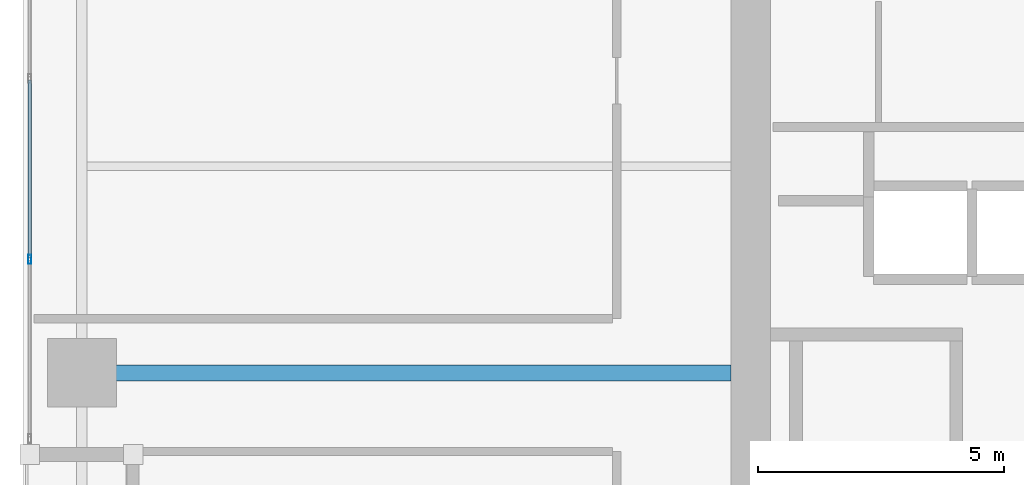
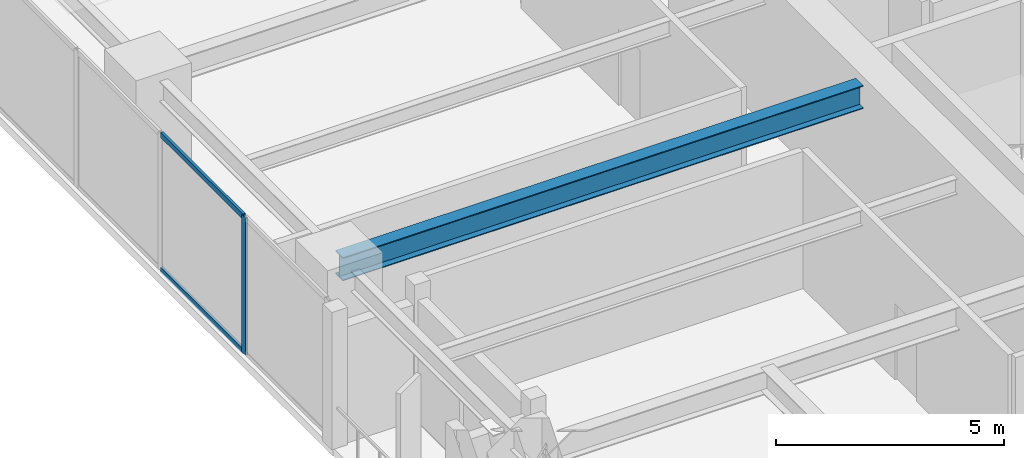
# One storey, part 4 of 30: 3 members, 1 beam, 1 element without a shape of its own.
"""IFC4 building model written with IfcOpenShell, lengths in metres."""

import ifcopenshell
import ifcopenshell.guid

model = None  # the IFC model being written
_history = None  # IfcOwnerHistory: only IFC2X3 demands one
_inside = {}  # id of a spatial element -> (the spatial element, [elements in it])
_under = {}  # id of a project, library or spatial element -> (it, [spatial elements below it])
_declared = {}  # id of a project -> (the project, [libraries it declares])
_typed = {}  # id of a type object -> (the type object, [elements of that type])
_made_of = {}  # id of a material, layer set ... -> (it, [elements and type objects made of it])


def new_model(schema):
    """Start an empty IFC model of exactly this schema.

    Asked for "IFC4X3", IfcOpenShell would pick the latest addendum, in which some entities
    have other attributes; the version numbers below select the first issue.
    IFC2X3 requires an IfcOwnerHistory on every rooted entity: one is made here for all.
    """
    global model, _history
    if schema == "IFC4X3":
        model = ifcopenshell.file(schema_version=(4, 3, 0, 0))
    else:
        model = ifcopenshell.file(schema=schema)
    _inside.clear()
    _under.clear()
    _declared.clear()
    _typed.clear()
    _made_of.clear()
    _history = None
    if model.schema == "IFC2X3":
        org = make("IfcOrganization", Name="unknown")
        user = make(
            "IfcPersonAndOrganization",
            ThePerson=make("IfcPerson", FamilyName="unknown"),
            TheOrganization=org,
        )
        app = make(
            "IfcApplication",
            ApplicationDeveloper=org,
            Version="unknown",
            ApplicationFullName="unknown",
            ApplicationIdentifier="unknown",
        )
        _history = make(
            "IfcOwnerHistory",
            OwningUser=user,
            OwningApplication=app,
            ChangeAction="ADDED",
            CreationDate=0,
        )
    return model


def make(cls, **values):
    """One entity of the class cls with the attributes given. An attribute that is None is left unset."""
    return model.create_entity(
        cls, **{name: value for name, value in values.items() if value is not None}
    )


def rooted(cls, **values):
    """An entity with a GlobalId (a new one), such as an element, a storey or a relation."""
    return make(cls, GlobalId=ifcopenshell.guid.new(), OwnerHistory=_history, **values)


def si_unit(unit_type, name, prefix=None):
    """IfcSIUnit, for example si_unit("LENGTHUNIT", "METRE", prefix="MILLI")."""
    return make("IfcSIUnit", UnitType=unit_type, Prefix=prefix, Name=name)


def assignment(units):
    """IfcUnitAssignment: the units of a project."""
    return None if units is None else make("IfcUnitAssignment", Units=units)


def point(xyz):
    """IfcCartesianPoint."""
    return None if xyz is None else make("IfcCartesianPoint", Coordinates=xyz)


def direction(xyz):
    """IfcDirection."""
    return None if xyz is None else make("IfcDirection", DirectionRatios=xyz)


def frame(location, z_axis=None, x_axis=None):
    """IfcAxis2Placement3D, a coordinate frame: its origin and axes. An axis left out is left unset."""
    return make(
        "IfcAxis2Placement3D",
        Location=point(location),
        Axis=direction(z_axis),
        RefDirection=direction(x_axis),
    )


def frame_2d(location, x_axis=None):
    """IfcAxis2Placement2D, a coordinate frame in the plane: its origin and x axis."""
    return make(
        "IfcAxis2Placement2D", Location=point(location), RefDirection=direction(x_axis)
    )


def origin():
    """The frame at (0, 0, 0) with its axes left unset."""
    return frame((0.0, 0.0, 0.0))


def origin_2d():
    """The frame at (0, 0) in the plane with its x axis left unset."""
    return frame_2d((0.0, 0.0))


def place(relative_to, where):
    """IfcLocalPlacement: puts the frame where relative to a parent placement (None: the world)."""
    return make(
        "IfcLocalPlacement", PlacementRelTo=relative_to, RelativePlacement=where
    )


def context(
    kind, dimensions, precision=None, world=None, true_north=None, identifier=None
):
    """IfcGeometricRepresentationContext, for example the 3D "Model" context."""
    return make(
        "IfcGeometricRepresentationContext",
        ContextIdentifier=identifier,
        ContextType=kind,
        CoordinateSpaceDimension=dimensions,
        Precision=precision,
        WorldCoordinateSystem=world,
        TrueNorth=true_north,
    )


def subcontext(parent, identifier, kind, view, scale=None):
    """IfcGeometricRepresentationSubContext, for example "Body" below "Model"."""
    return make(
        "IfcGeometricRepresentationSubContext",
        ContextIdentifier=identifier,
        ContextType=kind,
        ParentContext=parent,
        TargetScale=scale,
        TargetView=view,
    )


def project(units=None, contexts=None):
    """IfcProject with its units and contexts."""
    return rooted(
        "IfcProject",
        Name="project",
        RepresentationContexts=contexts,
        UnitsInContext=assignment(units),
    )


def spatial(cls, under=None, at=None, **own):
    """A site, building, storey or space (cls), placed at a placement, below another one or the project."""
    s = rooted(cls, ObjectPlacement=at, **own)
    if under is not None:
        _under.setdefault(under.id(), (under, []))[1].append(s)
    return s


def profile(cls, at=None, kind="AREA", **sizes):
    """A parametric profile (cls). Its sizes go by their IFC names, for example OverallWidth=200.0."""
    return make(cls, ProfileType=kind, Position=at, **sizes)


def hollow_rectangle(**sizes):
    """IfcRectangleHollowProfileDef."""
    return profile("IfcRectangleHollowProfileDef", **sizes)


def i_section(**sizes):
    """IfcIShapeProfileDef."""
    return profile("IfcIShapeProfileDef", **sizes)


def extrude(swept, where, along, depth):
    """IfcExtrudedAreaSolid: the profile swept, set in the frame where, extruded along a direction by depth."""
    return make(
        "IfcExtrudedAreaSolid",
        SweptArea=swept,
        Position=where,
        ExtrudedDirection=direction(along),
        Depth=depth,
    )


def shape(context_of_items, identifier, shape_type, items):
    """IfcShapeRepresentation: the items that make up one representation, for example the "Body"."""
    return make(
        "IfcShapeRepresentation",
        ContextOfItems=context_of_items,
        RepresentationIdentifier=identifier,
        RepresentationType=shape_type,
        Items=items,
    )


def material(Name=None, Category=None):
    """IfcMaterial."""
    return make("IfcMaterial", Name=Name, Category=Category)


def layer(
    of_material, thickness, ventilated=None, Name=None, Category=None, Priority=None
):
    """IfcMaterialLayer: one layer of a wall or slab, of a material (None: an air gap)."""
    return make(
        "IfcMaterialLayer",
        Material=of_material,
        LayerThickness=thickness,
        IsVentilated=ventilated,
        Name=Name,
        Category=Category,
        Priority=Priority,
    )


def layer_set(layers, Name=None):
    """IfcMaterialLayerSet."""
    return make("IfcMaterialLayerSet", MaterialLayers=layers, LayerSetName=Name)


def material_profile(
    of_material, cross_section, Name=None, Category=None, Priority=None
):
    """IfcMaterialProfile: a cross section and its material."""
    return make(
        "IfcMaterialProfile",
        Name=Name,
        Material=of_material,
        Profile=cross_section,
        Priority=Priority,
        Category=Category,
    )


def profile_set(profiles, Name=None, composite=None):
    """IfcMaterialProfileSet."""
    return make(
        "IfcMaterialProfileSet",
        Name=Name,
        MaterialProfiles=profiles,
        CompositeProfile=composite,
    )


def made_of(thing, what):
    """Note that an element or type object is made of a material, layer set ...; save() writes the relation."""
    if what is not None:
        _made_of.setdefault(what.id(), (what, []))[1].append(thing)
    return thing


def type_object(cls, material=None, **own):
    """A type object (cls), such as IfcWallType, which elements share."""
    return made_of(rooted(cls, **own), material)


def element(
    cls,
    number,
    at=None,
    inside=None,
    cuts=None,
    type_object=None,
    material=None,
    context=None,
    identifier="Body",
    shape_type=None,
    held_by="IfcProductDefinitionShape",
    body=None,
    shapes=None,
    **own,
):
    """One element of the class cls, such as IfcWall. Its Tag is "e" and its number.

    at: its placement. inside: the storey or other place that contains it. cuts: it is an
    opening in that element (IfcRelVoidsElement). A single representation is given by context,
    identifier, shape_type and body (its items); several are given by shapes. held_by: the class
    of the entity that holds the representations. save() writes the other relations.
    """
    e = rooted(cls, Tag="e%d" % number, ObjectPlacement=at, **own)
    if body is not None:
        shapes = [shape(context, identifier, shape_type, body)]
    if shapes is not None:
        e.Representation = make(held_by, Representations=shapes)
    if inside is not None:
        _inside.setdefault(inside.id(), (inside, []))[1].append(e)
    if cuts is not None:
        rooted(
            "IfcRelVoidsElement", RelatingBuildingElement=cuts, RelatedOpeningElement=e
        )
    if type_object is not None:
        _typed.setdefault(type_object.id(), (type_object, []))[1].append(e)
    return made_of(e, material)


def aggregate(whole, parts):
    """IfcRelAggregates: a whole, such as a stair, and the parts it consists of."""
    return rooted("IfcRelAggregates", RelatingObject=whole, RelatedObjects=parts)


def save(model, path):
    """Write the relations noted so far, then the file.

    IfcRelAggregates (storeys below a building ...), IfcRelContainedInSpatialStructure (elements
    in a storey), IfcRelDefinesByType, IfcRelAssociatesMaterial and IfcRelDeclares: one each for
    every whole, place, type object, material and project.
    """
    for whole, parts in _under.values():
        aggregate(whole, parts)
    for where, things in _inside.values():
        rooted(
            "IfcRelContainedInSpatialStructure",
            RelatedElements=things,
            RelatingStructure=where,
        )
    for kind, things in _typed.values():
        rooted("IfcRelDefinesByType", RelatedObjects=things, RelatingType=kind)
    for what, things in _made_of.values():
        rooted("IfcRelAssociatesMaterial", RelatedObjects=things, RelatingMaterial=what)
    for by, libraries in _declared.values():
        rooted("IfcRelDeclares", RelatingContext=by, RelatedDefinitions=libraries)
    model.write(path)


model = new_model("IFC4")

# Units and contexts
model_context = context("Model", 3, precision=1e-05, world=origin(), true_north=direction((0.0, 1.0)))
body_context = subcontext(model_context, "Body", "Model", "MODEL_VIEW")
ifc_project = project(units=[si_unit("LENGTHUNIT", "METRE"), si_unit("AREAUNIT", "SQUARE_METRE"), si_unit("VOLUMEUNIT", "CUBIC_METRE"), si_unit("PLANEANGLEUNIT", "RADIAN"), si_unit("MASSUNIT", "GRAM", prefix="KILO")], contexts=[model_context])

# Site, building, storey
site_placement = place(None, origin())
site = spatial("IfcSite", under=ifc_project, at=site_placement, CompositionType="ELEMENT")
building_placement = place(site_placement, origin())
building = spatial("IfcBuilding", under=site, at=building_placement, Name="Kiyonajd Concourse Tower", CompositionType="ELEMENT")
storey_placement = place(building_placement, frame((0.0, 0.0, 150.60009765625)))
storey = spatial("IfcBuildingStorey", under=building, at=storey_placement, Name="L38", CompositionType="ELEMENT", Elevation=150.60009765625)

# Beam
ifc_material_1 = material(Name="Steel ASTM A992 Grade 50", Category="steel")
ifc_material_profile_1 = material_profile(ifc_material_1, i_section(OverallWidth=0.326904296875, OverallDepth=0.6220703125, WebThickness=0.015380859375, FlangeThickness=0.0244140625, at=origin_2d()), Name="W610X195")
ifc_profile_set_1 = profile_set([ifc_material_profile_1], Name="Steel ASTM A992 Grade 50")
beam_type = type_object("IfcBeamType", Name="BM-TWR-610A", PredefinedType="BEAM", material=ifc_profile_set_1)
beam_placement = place(storey_placement, frame((19.199951171875, 36.0, 3.368896484375), z_axis=(1.0, 0.0, 0.0), x_axis=(0.0, 1.0, 0.0)))
element("IfcBeam", 1, at=beam_placement, inside=storey, type_object=beam_type, Name="L38 West Lease Girder", PredefinedType="BEAM", context=body_context, shape_type="SweptSolid", body=[
    extrude(i_section(OverallWidth=0.326904296875, OverallDepth=0.6220703125, WebThickness=0.015380859375, FlangeThickness=0.0244140625, at=origin_2d()), origin(), (0.0, 0.0, 1.0), 13.199951171875),
])

# Curtain wall, members
ifc_material_2 = material(Name="Thermally Broken Anodised Aluminium", Category="aluminium")
ifc_layer = layer(ifc_material_2, 0.179931640625)
ifc_layer_set = layer_set([ifc_layer], Name="Thermally Broken Anodised Aluminium")
curtain_wall_type = type_object("IfcCurtainWallType", Name="CW-SYS-03", PredefinedType="NOTDEFINED", material=ifc_layer_set)
curtain_wall_placement = place(storey_placement, origin())
curtain_wall = element("IfcCurtainWall", 2, at=curtain_wall_placement, inside=storey, type_object=curtain_wall_type, Name="L38 Unitised Curtain Wall CW3", PredefinedType="NOTDEFINED")
ifc_material_profile_2 = material_profile(ifc_material_2, hollow_rectangle(XDim=0.06494140625, YDim=0.179931640625, WallThickness=0.00390625, at=origin_2d()), Name="MULL-65x180")
ifc_profile_set_2 = profile_set([ifc_material_profile_2], Name="Thermally Broken Anodised Aluminium")
member_type_1 = type_object("IfcMemberType", Name="MB-CW-MULL1", PredefinedType="MULLION", material=ifc_profile_set_2)
member_1_placement = place(storey_placement, frame((18.139892578125, 38.306884765625, 0.0), z_axis=(0.0, 0.0, 1.0), x_axis=(-1.0, 0.0, 0.0)))
member_1 = element("IfcMember", 3, at=member_1_placement, type_object=member_type_1, Name="CW3 mullion 2", PredefinedType="MULLION", context=body_context, shape_type="SweptSolid", body=[
    extrude(hollow_rectangle(XDim=0.06494140625, YDim=0.179931640625, WallThickness=0.00390625, at=origin_2d()), origin(), (0.0, 0.0, 1.0), 3.679931640625),
])
ifc_material_profile_3 = material_profile(ifc_material_2, hollow_rectangle(XDim=0.06494140625, YDim=0.139892578125, WallThickness=0.00390625, at=origin_2d()), Name="TRAN-65x140")
ifc_profile_set_3 = profile_set([ifc_material_profile_3], Name="Thermally Broken Anodised Aluminium")
member_type_2 = type_object("IfcMemberType", Name="MB-CW-TRAN1", PredefinedType="USERDEFINED", material=ifc_profile_set_3)
member_2_placement = place(storey_placement, frame((18.139892578125, 38.33935546875, 0.032470703125), z_axis=(0.0, 1.0, 0.0), x_axis=(-1.0, 0.0, 0.0)))
member_2 = element("IfcMember", 4, at=member_2_placement, type_object=member_type_2, Name="CW3 transom 2.1", ObjectType="TRANSOM", PredefinedType="USERDEFINED", context=body_context, shape_type="SweptSolid", body=[
    extrude(hollow_rectangle(XDim=0.06494140625, YDim=0.139892578125, WallThickness=0.00390625, at=origin_2d()), origin(), (0.0, 0.0, 1.0), 3.612060546875),
])
member_3_placement = place(storey_placement, frame((18.139892578125, 38.33935546875, 3.6474609375), z_axis=(0.0, 1.0, 0.0), x_axis=(-1.0, 0.0, 0.0)))
member_3 = element("IfcMember", 5, at=member_3_placement, type_object=member_type_2, Name="CW3 transom 2.2", ObjectType="TRANSOM", PredefinedType="USERDEFINED", context=body_context, shape_type="SweptSolid", body=[
    extrude(hollow_rectangle(XDim=0.06494140625, YDim=0.139892578125, WallThickness=0.00390625, at=origin_2d()), origin(), (0.0, 0.0, 1.0), 3.612060546875),
])
aggregate(curtain_wall, [member_1, member_2, member_3])

save(model, "model.ifc")
